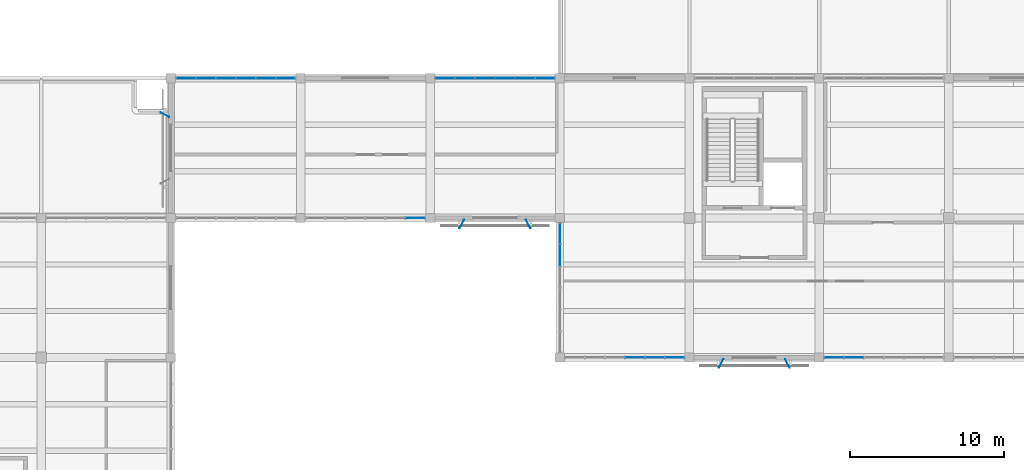
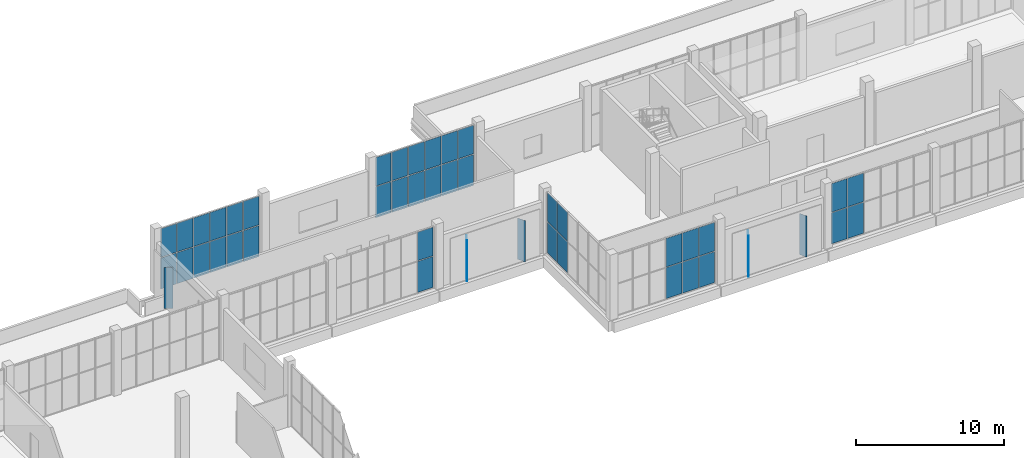
# One storey, part 104 of 132: 45 plates, 6 elements without a shape of their own.
"""IFC4 building model written with IfcOpenShell, lengths in metres."""

from ifc_helpers import new_model, si_unit, direction, frame, origin, origin_2d, place, context, subcontext, project, spatial, rectangle, extrude, material, layer, layer_set, type_object, element, aggregate, save


model = new_model("IFC4")

# Units and contexts
model_context = context("Model", 3, precision=1e-05, world=origin(), true_north=direction((0.0, 1.0)))
body_context = subcontext(model_context, "Body", "Model", "MODEL_VIEW")
ifc_project = project(units=[si_unit("LENGTHUNIT", "METRE"), si_unit("AREAUNIT", "SQUARE_METRE"), si_unit("VOLUMEUNIT", "CUBIC_METRE"), si_unit("PLANEANGLEUNIT", "RADIAN"), si_unit("MASSUNIT", "GRAM", prefix="KILO")], contexts=[model_context])

# Site, building, storey
site_placement = place(None, origin())
site = spatial("IfcSite", under=ifc_project, at=site_placement, CompositionType="ELEMENT")
building_placement = place(site_placement, origin())
building = spatial("IfcBuilding", under=site, at=building_placement, Name="Khurvash Pelagic Aquarium", CompositionType="ELEMENT")
storey_placement = place(building_placement, frame((0.0, 0.0, 5.39990234375)))
storey = spatial("IfcBuildingStorey", under=building, at=storey_placement, Name="L01", CompositionType="ELEMENT", Elevation=5.39990234375)

# Curtain wall, plates
ifc_material_1 = material(Name="Anodised aluminium and low-E laminated glass", Category="aluminium")
curtain_wall_type_1 = type_object("IfcCurtainWallType", Name="CW-05", PredefinedType="USERDEFINED", material=ifc_material_1)
curtain_wall_1_placement = place(storey_placement, origin())
curtain_wall_1 = element("IfcCurtainWall", 1, at=curtain_wall_1_placement, inside=storey, type_object=curtain_wall_type_1, Name="L01 Facade Unitised Curtain Wall CW-05 0119", ObjectType="UNITISED CURTAIN WALL", PredefinedType="USERDEFINED")
ifc_material_2 = material(Name="Low-E laminated double glazing", Category="glass")
ifc_layer_1 = layer(ifc_material_2, 0.033935546875)
ifc_layer_set_1 = layer_set([ifc_layer_1], Name="Low-E laminated double glazing")
plate_type_1 = type_object("IfcPlateType", Name="CG-05", PredefinedType="CURTAIN_PANEL", material=ifc_layer_set_1)
plate_1_placement = place(storey_placement, frame((57.830810546875, 102.14990234375, 0.06005859375), z_axis=(0.0, 0.0, 1.0), x_axis=(-1.0, 0.0, 0.0)))
plate_1 = element("IfcPlate", 2, at=plate_1_placement, type_object=plate_type_1, Name="CW-05 panel 1.1", PredefinedType="CURTAIN_PANEL", context=body_context, shape_type="SweptSolid", body=[
    extrude(rectangle(XDim=1.208251953125, YDim=0.033935546875, at=origin_2d()), origin(), (0.0, 0.0, 1.0), 2.56201171875),
])
plate_2_placement = place(storey_placement, frame((57.830810546875, 102.14990234375, 2.68212890625), z_axis=(0.0, 0.0, 1.0), x_axis=(-1.0, 0.0, 0.0)))
plate_2 = element("IfcPlate", 3, at=plate_2_placement, type_object=plate_type_1, Name="CW-05 panel 1.2", PredefinedType="CURTAIN_PANEL", context=body_context, shape_type="SweptSolid", body=[
    extrude(rectangle(XDim=1.208251953125, YDim=0.033935546875, at=origin_2d()), origin(), (0.0, 0.0, 1.0), 2.35791015625),
])
plate_3_placement = place(storey_placement, frame((56.547607421875, 102.14990234375, 0.06005859375), z_axis=(0.0, 0.0, 1.0), x_axis=(-1.0, 0.0, 0.0)))
plate_3 = element("IfcPlate", 4, at=plate_3_placement, type_object=plate_type_1, Name="CW-05 panel 2.1", PredefinedType="CURTAIN_PANEL", context=body_context, shape_type="SweptSolid", body=[
    extrude(rectangle(XDim=1.23828125, YDim=0.033935546875, at=origin_2d()), origin(), (0.0, 0.0, 1.0), 2.56201171875),
])
plate_4_placement = place(storey_placement, frame((56.547607421875, 102.14990234375, 2.68212890625), z_axis=(0.0, 0.0, 1.0), x_axis=(-1.0, 0.0, 0.0)))
plate_4 = element("IfcPlate", 5, at=plate_4_placement, type_object=plate_type_1, Name="CW-05 panel 2.2", PredefinedType="CURTAIN_PANEL", context=body_context, shape_type="SweptSolid", body=[
    extrude(rectangle(XDim=1.23828125, YDim=0.033935546875, at=origin_2d()), origin(), (0.0, 0.0, 1.0), 2.35791015625),
])
plate_5_placement = place(storey_placement, frame((55.249267578125, 102.14990234375, 0.06005859375), z_axis=(0.0, 0.0, 1.0), x_axis=(-1.0, 0.0, 0.0)))
plate_5 = element("IfcPlate", 6, at=plate_5_placement, type_object=plate_type_1, Name="CW-05 panel 3.1", PredefinedType="CURTAIN_PANEL", context=body_context, shape_type="SweptSolid", body=[
    extrude(rectangle(XDim=1.23828125, YDim=0.033935546875, at=origin_2d()), origin(), (0.0, 0.0, 1.0), 2.56201171875),
])
plate_6_placement = place(storey_placement, frame((55.249267578125, 102.14990234375, 2.68212890625), z_axis=(0.0, 0.0, 1.0), x_axis=(-1.0, 0.0, 0.0)))
plate_6 = element("IfcPlate", 7, at=plate_6_placement, type_object=plate_type_1, Name="CW-05 panel 3.2", PredefinedType="CURTAIN_PANEL", context=body_context, shape_type="SweptSolid", body=[
    extrude(rectangle(XDim=1.23828125, YDim=0.033935546875, at=origin_2d()), origin(), (0.0, 0.0, 1.0), 2.35791015625),
])
plate_7_placement = place(storey_placement, frame((53.950927734375, 102.14990234375, 0.06005859375), z_axis=(0.0, 0.0, 1.0), x_axis=(-1.0, 0.0, 0.0)))
plate_7 = element("IfcPlate", 8, at=plate_7_placement, type_object=plate_type_1, Name="CW-05 panel 4.1", PredefinedType="CURTAIN_PANEL", context=body_context, shape_type="SweptSolid", body=[
    extrude(rectangle(XDim=1.23828125, YDim=0.033935546875, at=origin_2d()), origin(), (0.0, 0.0, 1.0), 2.56201171875),
])
plate_8_placement = place(storey_placement, frame((53.950927734375, 102.14990234375, 2.68212890625), z_axis=(0.0, 0.0, 1.0), x_axis=(-1.0, 0.0, 0.0)))
plate_8 = element("IfcPlate", 9, at=plate_8_placement, type_object=plate_type_1, Name="CW-05 panel 4.2", PredefinedType="CURTAIN_PANEL", context=body_context, shape_type="SweptSolid", body=[
    extrude(rectangle(XDim=1.23828125, YDim=0.033935546875, at=origin_2d()), origin(), (0.0, 0.0, 1.0), 2.35791015625),
])
plate_9_placement = place(storey_placement, frame((52.652587890625, 102.14990234375, 0.06005859375), z_axis=(0.0, 0.0, 1.0), x_axis=(-1.0, 0.0, 0.0)))
plate_9 = element("IfcPlate", 10, at=plate_9_placement, type_object=plate_type_1, Name="CW-05 panel 5.1", PredefinedType="CURTAIN_PANEL", context=body_context, shape_type="SweptSolid", body=[
    extrude(rectangle(XDim=1.23828125, YDim=0.033935546875, at=origin_2d()), origin(), (0.0, 0.0, 1.0), 2.56201171875),
])
plate_10_placement = place(storey_placement, frame((52.652587890625, 102.14990234375, 2.68212890625), z_axis=(0.0, 0.0, 1.0), x_axis=(-1.0, 0.0, 0.0)))
plate_10 = element("IfcPlate", 11, at=plate_10_placement, type_object=plate_type_1, Name="CW-05 panel 5.2", PredefinedType="CURTAIN_PANEL", context=body_context, shape_type="SweptSolid", body=[
    extrude(rectangle(XDim=1.23828125, YDim=0.033935546875, at=origin_2d()), origin(), (0.0, 0.0, 1.0), 2.35791015625),
])
plate_11_placement = place(storey_placement, frame((51.369140625, 102.14990234375, 0.06005859375), z_axis=(0.0, 0.0, 1.0), x_axis=(-1.0, 0.0, 0.0)))
plate_11 = element("IfcPlate", 12, at=plate_11_placement, type_object=plate_type_1, Name="CW-05 panel 6.1", PredefinedType="CURTAIN_PANEL", context=body_context, shape_type="SweptSolid", body=[
    extrude(rectangle(XDim=1.208251953125, YDim=0.033935546875, at=origin_2d()), origin(), (0.0, 0.0, 1.0), 2.56201171875),
])
plate_12_placement = place(storey_placement, frame((51.369140625, 102.14990234375, 2.68212890625), z_axis=(0.0, 0.0, 1.0), x_axis=(-1.0, 0.0, 0.0)))
plate_12 = element("IfcPlate", 13, at=plate_12_placement, type_object=plate_type_1, Name="CW-05 panel 6.2", PredefinedType="CURTAIN_PANEL", context=body_context, shape_type="SweptSolid", body=[
    extrude(rectangle(XDim=1.208251953125, YDim=0.033935546875, at=origin_2d()), origin(), (0.0, 0.0, 1.0), 2.35791015625),
])
aggregate(curtain_wall_1, [plate_1, plate_2, plate_3, plate_4, plate_5, plate_6, plate_7, plate_8, plate_9, plate_10, plate_11, plate_12])

curtain_wall_2_placement = place(storey_placement, origin())
curtain_wall_2 = element("IfcCurtainWall", 14, at=curtain_wall_2_placement, inside=storey, type_object=curtain_wall_type_1, Name="L01 Facade Unitised Curtain Wall CW-05 0120", ObjectType="UNITISED CURTAIN WALL", PredefinedType="USERDEFINED")
plate_13_placement = place(storey_placement, frame((41.03076171875, 102.14990234375, 0.06005859375), z_axis=(0.0, 0.0, 1.0), x_axis=(-1.0, 0.0, 0.0)))
plate_13 = element("IfcPlate", 15, at=plate_13_placement, type_object=plate_type_1, Name="CW-05 panel 1.1", PredefinedType="CURTAIN_PANEL", context=body_context, shape_type="SweptSolid", body=[
    extrude(rectangle(XDim=1.208251953125, YDim=0.033935546875, at=origin_2d()), origin(), (0.0, 0.0, 1.0), 2.56201171875),
])
plate_14_placement = place(storey_placement, frame((41.03076171875, 102.14990234375, 2.68212890625), z_axis=(0.0, 0.0, 1.0), x_axis=(-1.0, 0.0, 0.0)))
plate_14 = element("IfcPlate", 16, at=plate_14_placement, type_object=plate_type_1, Name="CW-05 panel 1.2", PredefinedType="CURTAIN_PANEL", context=body_context, shape_type="SweptSolid", body=[
    extrude(rectangle(XDim=1.208251953125, YDim=0.033935546875, at=origin_2d()), origin(), (0.0, 0.0, 1.0), 2.35791015625),
])
plate_15_placement = place(storey_placement, frame((39.74755859375, 102.14990234375, 0.06005859375), z_axis=(0.0, 0.0, 1.0), x_axis=(-1.0, 0.0, 0.0)))
plate_15 = element("IfcPlate", 17, at=plate_15_placement, type_object=plate_type_1, Name="CW-05 panel 2.1", PredefinedType="CURTAIN_PANEL", context=body_context, shape_type="SweptSolid", body=[
    extrude(rectangle(XDim=1.23828125, YDim=0.033935546875, at=origin_2d()), origin(), (0.0, 0.0, 1.0), 2.56201171875),
])
plate_16_placement = place(storey_placement, frame((39.74755859375, 102.14990234375, 2.68212890625), z_axis=(0.0, 0.0, 1.0), x_axis=(-1.0, 0.0, 0.0)))
plate_16 = element("IfcPlate", 18, at=plate_16_placement, type_object=plate_type_1, Name="CW-05 panel 2.2", PredefinedType="CURTAIN_PANEL", context=body_context, shape_type="SweptSolid", body=[
    extrude(rectangle(XDim=1.23828125, YDim=0.033935546875, at=origin_2d()), origin(), (0.0, 0.0, 1.0), 2.35791015625),
])
plate_17_placement = place(storey_placement, frame((38.44921875, 102.14990234375, 0.06005859375), z_axis=(0.0, 0.0, 1.0), x_axis=(-1.0, 0.0, 0.0)))
plate_17 = element("IfcPlate", 19, at=plate_17_placement, type_object=plate_type_1, Name="CW-05 panel 3.1", PredefinedType="CURTAIN_PANEL", context=body_context, shape_type="SweptSolid", body=[
    extrude(rectangle(XDim=1.23828125, YDim=0.033935546875, at=origin_2d()), origin(), (0.0, 0.0, 1.0), 2.56201171875),
])
plate_18_placement = place(storey_placement, frame((38.44921875, 102.14990234375, 2.68212890625), z_axis=(0.0, 0.0, 1.0), x_axis=(-1.0, 0.0, 0.0)))
plate_18 = element("IfcPlate", 20, at=plate_18_placement, type_object=plate_type_1, Name="CW-05 panel 3.2", PredefinedType="CURTAIN_PANEL", context=body_context, shape_type="SweptSolid", body=[
    extrude(rectangle(XDim=1.23828125, YDim=0.033935546875, at=origin_2d()), origin(), (0.0, 0.0, 1.0), 2.35791015625),
])
plate_19_placement = place(storey_placement, frame((37.15087890625, 102.14990234375, 0.06005859375), z_axis=(0.0, 0.0, 1.0), x_axis=(-1.0, 0.0, 0.0)))
plate_19 = element("IfcPlate", 21, at=plate_19_placement, type_object=plate_type_1, Name="CW-05 panel 4.1", PredefinedType="CURTAIN_PANEL", context=body_context, shape_type="SweptSolid", body=[
    extrude(rectangle(XDim=1.23828125, YDim=0.033935546875, at=origin_2d()), origin(), (0.0, 0.0, 1.0), 2.56201171875),
])
plate_20_placement = place(storey_placement, frame((37.15087890625, 102.14990234375, 2.68212890625), z_axis=(0.0, 0.0, 1.0), x_axis=(-1.0, 0.0, 0.0)))
plate_20 = element("IfcPlate", 22, at=plate_20_placement, type_object=plate_type_1, Name="CW-05 panel 4.2", PredefinedType="CURTAIN_PANEL", context=body_context, shape_type="SweptSolid", body=[
    extrude(rectangle(XDim=1.23828125, YDim=0.033935546875, at=origin_2d()), origin(), (0.0, 0.0, 1.0), 2.35791015625),
])
plate_21_placement = place(storey_placement, frame((35.8525390625, 102.14990234375, 0.06005859375), z_axis=(0.0, 0.0, 1.0), x_axis=(-1.0, 0.0, 0.0)))
plate_21 = element("IfcPlate", 23, at=plate_21_placement, type_object=plate_type_1, Name="CW-05 panel 5.1", PredefinedType="CURTAIN_PANEL", context=body_context, shape_type="SweptSolid", body=[
    extrude(rectangle(XDim=1.23828125, YDim=0.033935546875, at=origin_2d()), origin(), (0.0, 0.0, 1.0), 2.56201171875),
])
plate_22_placement = place(storey_placement, frame((35.8525390625, 102.14990234375, 2.68212890625), z_axis=(0.0, 0.0, 1.0), x_axis=(-1.0, 0.0, 0.0)))
plate_22 = element("IfcPlate", 24, at=plate_22_placement, type_object=plate_type_1, Name="CW-05 panel 5.2", PredefinedType="CURTAIN_PANEL", context=body_context, shape_type="SweptSolid", body=[
    extrude(rectangle(XDim=1.23828125, YDim=0.033935546875, at=origin_2d()), origin(), (0.0, 0.0, 1.0), 2.35791015625),
])
plate_23_placement = place(storey_placement, frame((34.569091796875, 102.14990234375, 0.06005859375), z_axis=(0.0, 0.0, 1.0), x_axis=(-1.0, 0.0, 0.0)))
plate_23 = element("IfcPlate", 25, at=plate_23_placement, type_object=plate_type_1, Name="CW-05 panel 6.1", PredefinedType="CURTAIN_PANEL", context=body_context, shape_type="SweptSolid", body=[
    extrude(rectangle(XDim=1.208251953125, YDim=0.033935546875, at=origin_2d()), origin(), (0.0, 0.0, 1.0), 2.56201171875),
])
plate_24_placement = place(storey_placement, frame((34.569091796875, 102.14990234375, 2.68212890625), z_axis=(0.0, 0.0, 1.0), x_axis=(-1.0, 0.0, 0.0)))
plate_24 = element("IfcPlate", 26, at=plate_24_placement, type_object=plate_type_1, Name="CW-05 panel 6.2", PredefinedType="CURTAIN_PANEL", context=body_context, shape_type="SweptSolid", body=[
    extrude(rectangle(XDim=1.208251953125, YDim=0.033935546875, at=origin_2d()), origin(), (0.0, 0.0, 1.0), 2.35791015625),
])
aggregate(curtain_wall_2, [plate_13, plate_14, plate_15, plate_16, plate_17, plate_18, plate_19, plate_20, plate_21, plate_22, plate_23, plate_24])

curtain_wall_3_placement = place(storey_placement, origin())
curtain_wall_3 = element("IfcCurtainWall", 27, at=curtain_wall_3_placement, inside=storey, type_object=curtain_wall_type_1, Name="L01 Facade Unitised Curtain Wall CW-05 0135", ObjectType="UNITISED CURTAIN WALL", PredefinedType="USERDEFINED")
plate_25_placement = place(storey_placement, frame((49.430908203125, 93.10009765625, 0.06005859375), z_axis=(0.0, 0.0, 1.0), x_axis=(1.0, 0.0, 0.0)))
plate_25 = element("IfcPlate", 28, at=plate_25_placement, type_object=plate_type_1, Name="CW-05 panel 6.1", PredefinedType="CURTAIN_PANEL", context=body_context, shape_type="SweptSolid", body=[
    extrude(rectangle(XDim=1.208251953125, YDim=0.033935546875, at=origin_2d()), origin(), (0.0, 0.0, 1.0), 2.56201171875),
])
plate_26_placement = place(storey_placement, frame((49.430908203125, 93.10009765625, 2.68212890625), z_axis=(0.0, 0.0, 1.0), x_axis=(1.0, 0.0, 0.0)))
plate_26 = element("IfcPlate", 29, at=plate_26_placement, type_object=plate_type_1, Name="CW-05 panel 6.2", PredefinedType="CURTAIN_PANEL", context=body_context, shape_type="SweptSolid", body=[
    extrude(rectangle(XDim=1.208251953125, YDim=0.033935546875, at=origin_2d()), origin(), (0.0, 0.0, 1.0), 2.35791015625),
])
aggregate(curtain_wall_3, [plate_25, plate_26])

curtain_wall_4_placement = place(storey_placement, origin())
curtain_wall_4 = element("IfcCurtainWall", 30, at=curtain_wall_4_placement, inside=storey, type_object=curtain_wall_type_1, Name="L01 Facade Unitised Curtain Wall CW-05 0137", ObjectType="UNITISED CURTAIN WALL", PredefinedType="USERDEFINED")
plate_27_placement = place(storey_placement, frame((63.649169921875, 84.050048828125, 0.06005859375), z_axis=(0.0, 0.0, 1.0), x_axis=(1.0, 0.0, 0.0)))
plate_27 = element("IfcPlate", 31, at=plate_27_placement, type_object=plate_type_1, Name="CW-05 panel 4.1", PredefinedType="CURTAIN_PANEL", context=body_context, shape_type="SweptSolid", body=[
    extrude(rectangle(XDim=1.23828125, YDim=0.033935546875, at=origin_2d()), origin(), (0.0, 0.0, 1.0), 2.56201171875),
])
plate_28_placement = place(storey_placement, frame((63.649169921875, 84.050048828125, 2.68212890625), z_axis=(0.0, 0.0, 1.0), x_axis=(1.0, 0.0, 0.0)))
plate_28 = element("IfcPlate", 32, at=plate_28_placement, type_object=plate_type_1, Name="CW-05 panel 4.2", PredefinedType="CURTAIN_PANEL", context=body_context, shape_type="SweptSolid", body=[
    extrude(rectangle(XDim=1.23828125, YDim=0.033935546875, at=origin_2d()), origin(), (0.0, 0.0, 1.0), 2.35791015625),
])
plate_29_placement = place(storey_placement, frame((64.947509765625, 84.050048828125, 0.06005859375), z_axis=(0.0, 0.0, 1.0), x_axis=(1.0, 0.0, 0.0)))
plate_29 = element("IfcPlate", 33, at=plate_29_placement, type_object=plate_type_1, Name="CW-05 panel 5.1", PredefinedType="CURTAIN_PANEL", context=body_context, shape_type="SweptSolid", body=[
    extrude(rectangle(XDim=1.23828125, YDim=0.033935546875, at=origin_2d()), origin(), (0.0, 0.0, 1.0), 2.56201171875),
])
plate_30_placement = place(storey_placement, frame((64.947509765625, 84.050048828125, 2.68212890625), z_axis=(0.0, 0.0, 1.0), x_axis=(1.0, 0.0, 0.0)))
plate_30 = element("IfcPlate", 34, at=plate_30_placement, type_object=plate_type_1, Name="CW-05 panel 5.2", PredefinedType="CURTAIN_PANEL", context=body_context, shape_type="SweptSolid", body=[
    extrude(rectangle(XDim=1.23828125, YDim=0.033935546875, at=origin_2d()), origin(), (0.0, 0.0, 1.0), 2.35791015625),
])
plate_31_placement = place(storey_placement, frame((66.230712890625, 84.050048828125, 0.06005859375), z_axis=(0.0, 0.0, 1.0), x_axis=(1.0, 0.0, 0.0)))
plate_31 = element("IfcPlate", 35, at=plate_31_placement, type_object=plate_type_1, Name="CW-05 panel 6.1", PredefinedType="CURTAIN_PANEL", context=body_context, shape_type="SweptSolid", body=[
    extrude(rectangle(XDim=1.208251953125, YDim=0.033935546875, at=origin_2d()), origin(), (0.0, 0.0, 1.0), 2.56201171875),
])
plate_32_placement = place(storey_placement, frame((66.230712890625, 84.050048828125, 2.68212890625), z_axis=(0.0, 0.0, 1.0), x_axis=(1.0, 0.0, 0.0)))
plate_32 = element("IfcPlate", 36, at=plate_32_placement, type_object=plate_type_1, Name="CW-05 panel 6.2", PredefinedType="CURTAIN_PANEL", context=body_context, shape_type="SweptSolid", body=[
    extrude(rectangle(XDim=1.208251953125, YDim=0.033935546875, at=origin_2d()), origin(), (0.0, 0.0, 1.0), 2.35791015625),
])
aggregate(curtain_wall_4, [plate_27, plate_28, plate_29, plate_30, plate_31, plate_32])

curtain_wall_5_placement = place(storey_placement, origin())
curtain_wall_5 = element("IfcCurtainWall", 37, at=curtain_wall_5_placement, inside=storey, type_object=curtain_wall_type_1, Name="L01 Facade Unitised Curtain Wall CW-05 0138", ObjectType="UNITISED CURTAIN WALL", PredefinedType="USERDEFINED")
plate_33_placement = place(storey_placement, frame((76.569091796875, 84.050048828125, 0.06005859375), z_axis=(0.0, 0.0, 1.0), x_axis=(1.0, 0.0, 0.0)))
plate_33 = element("IfcPlate", 38, at=plate_33_placement, type_object=plate_type_1, Name="CW-05 panel 1.1", PredefinedType="CURTAIN_PANEL", context=body_context, shape_type="SweptSolid", body=[
    extrude(rectangle(XDim=1.208251953125, YDim=0.033935546875, at=origin_2d()), origin(), (0.0, 0.0, 1.0), 2.56201171875),
])
plate_34_placement = place(storey_placement, frame((76.569091796875, 84.050048828125, 2.68212890625), z_axis=(0.0, 0.0, 1.0), x_axis=(1.0, 0.0, 0.0)))
plate_34 = element("IfcPlate", 39, at=plate_34_placement, type_object=plate_type_1, Name="CW-05 panel 1.2", PredefinedType="CURTAIN_PANEL", context=body_context, shape_type="SweptSolid", body=[
    extrude(rectangle(XDim=1.208251953125, YDim=0.033935546875, at=origin_2d()), origin(), (0.0, 0.0, 1.0), 2.35791015625),
])
plate_35_placement = place(storey_placement, frame((77.8525390625, 84.050048828125, 0.06005859375), z_axis=(0.0, 0.0, 1.0), x_axis=(1.0, 0.0, 0.0)))
plate_35 = element("IfcPlate", 40, at=plate_35_placement, type_object=plate_type_1, Name="CW-05 panel 2.1", PredefinedType="CURTAIN_PANEL", context=body_context, shape_type="SweptSolid", body=[
    extrude(rectangle(XDim=1.23828125, YDim=0.033935546875, at=origin_2d()), origin(), (0.0, 0.0, 1.0), 2.56201171875),
])
plate_36_placement = place(storey_placement, frame((77.8525390625, 84.050048828125, 2.68212890625), z_axis=(0.0, 0.0, 1.0), x_axis=(1.0, 0.0, 0.0)))
plate_36 = element("IfcPlate", 41, at=plate_36_placement, type_object=plate_type_1, Name="CW-05 panel 2.2", PredefinedType="CURTAIN_PANEL", context=body_context, shape_type="SweptSolid", body=[
    extrude(rectangle(XDim=1.23828125, YDim=0.033935546875, at=origin_2d()), origin(), (0.0, 0.0, 1.0), 2.35791015625),
])
aggregate(curtain_wall_5, [plate_33, plate_34, plate_35, plate_36])

curtain_wall_type_2 = type_object("IfcCurtainWallType", Name="CW-06", PredefinedType="USERDEFINED", material=ifc_material_1)
curtain_wall_6_placement = place(storey_placement, origin())
curtain_wall_6 = element("IfcCurtainWall", 42, at=curtain_wall_6_placement, inside=storey, type_object=curtain_wall_type_2, Name="L01 Facade Unitised Curtain Wall CW-06 0136", ObjectType="UNITISED CURTAIN WALL", PredefinedType="USERDEFINED")
ifc_layer_2 = layer(ifc_material_2, 0.030029296875)
ifc_layer_set_2 = layer_set([ifc_layer_2], Name="Low-E laminated double glazing")
plate_type_2 = type_object("IfcPlateType", Name="CG-06", PredefinedType="CURTAIN_PANEL", material=ifc_layer_set_2)
plate_37_placement = place(storey_placement, frame((58.800048828125, 92.07666015625, 0.06005859375), z_axis=(0.0, 0.0, 1.0), x_axis=(0.0, -1.0, 0.0)))
plate_37 = element("IfcPlate", 43, at=plate_37_placement, type_object=plate_type_2, Name="CW-06 panel 1.1", PredefinedType="CURTAIN_PANEL", context=body_context, shape_type="SweptSolid", body=[
    extrude(rectangle(XDim=1.316650390625, YDim=0.030029296875, at=origin_2d()), origin(), (0.0, 0.0, 1.0), 2.56201171875),
])
plate_38_placement = place(storey_placement, frame((58.800048828125, 92.07666015625, 2.68212890625), z_axis=(0.0, 0.0, 1.0), x_axis=(0.0, -1.0, 0.0)))
plate_38 = element("IfcPlate", 44, at=plate_38_placement, type_object=plate_type_2, Name="CW-06 panel 1.2", PredefinedType="CURTAIN_PANEL", context=body_context, shape_type="SweptSolid", body=[
    extrude(rectangle(XDim=1.316650390625, YDim=0.030029296875, at=origin_2d()), origin(), (0.0, 0.0, 1.0), 2.35791015625),
])
plate_39_placement = place(storey_placement, frame((58.800048828125, 90.68505859375, 0.06005859375), z_axis=(0.0, 0.0, 1.0), x_axis=(0.0, -1.0, 0.0)))
plate_39 = element("IfcPlate", 45, at=plate_39_placement, type_object=plate_type_2, Name="CW-06 panel 2.1", PredefinedType="CURTAIN_PANEL", context=body_context, shape_type="SweptSolid", body=[
    extrude(rectangle(XDim=1.3466796875, YDim=0.030029296875, at=origin_2d()), origin(), (0.0, 0.0, 1.0), 2.56201171875),
])
plate_40_placement = place(storey_placement, frame((58.800048828125, 90.68505859375, 2.68212890625), z_axis=(0.0, 0.0, 1.0), x_axis=(0.0, -1.0, 0.0)))
plate_40 = element("IfcPlate", 46, at=plate_40_placement, type_object=plate_type_2, Name="CW-06 panel 2.2", PredefinedType="CURTAIN_PANEL", context=body_context, shape_type="SweptSolid", body=[
    extrude(rectangle(XDim=1.3466796875, YDim=0.030029296875, at=origin_2d()), origin(), (0.0, 0.0, 1.0), 2.35791015625),
])
aggregate(curtain_wall_6, [plate_37, plate_38, plate_39, plate_40])

# Plates
ifc_material_3 = material(Name="Anodised aluminium AW-5005", Category="aluminium")
ifc_layer_3 = layer(ifc_material_3, 0.02392578125)
ifc_layer_set_3 = layer_set([ifc_layer_3], Name="Anodised aluminium AW-5005")
plate_type_3 = type_object("IfcPlateType", Name="SP-01", PredefinedType="SHEET", material=ifc_layer_set_3)
for number, where, z_axis, x_axis, name in (
    (47, (33.2119140625, 99.77490234375, 0.150146484375), (0.0, 0.0, 1.0), (-0.882947592859, 0.469471562786, 0.0), "L01 Parametric Folded Aluminium Solar Screen Fin SP-01 0009"),
    (48, (52.449951171875, 92.7119140625, 0.150146484375), (0.0, 0.0, 1.0), (-0.469471562786, -0.882947592859, 0.0), "L01 Parametric Folded Aluminium Solar Screen Fin SP-01 0017"),
    (49, (56.75, 92.7119140625, 0.150146484375), (0.0, 0.0, 1.0), (0.469471562786, -0.882947592859, 0.0), "L01 Parametric Folded Aluminium Solar Screen Fin SP-01 0018"),
    (50, (69.25, 83.662109375, 0.150146484375), (0.0, 0.0, 1.0), (-0.469471562786, -0.882947592859, 0.0), "L01 Parametric Folded Aluminium Solar Screen Fin SP-01 0019"),
    (51, (73.550048828125, 83.662109375, 0.150146484375), (0.0, 0.0, 1.0), (0.469471562786, -0.882947592859, 0.0), "L01 Parametric Folded Aluminium Solar Screen Fin SP-01 0020"),
):
    element("IfcPlate", number, at=place(storey_placement, frame(where, z_axis=z_axis, x_axis=x_axis)), inside=storey, type_object=plate_type_3, Name=name, PredefinedType="SHEET", context=body_context, shape_type="SweptSolid", body=[
        extrude(rectangle(XDim=0.6201171875, YDim=0.02392578125, at=origin_2d()), origin(), (0.0, 0.0, 1.0), 3.39990234375),
    ])

save(model, "model.ifc")
